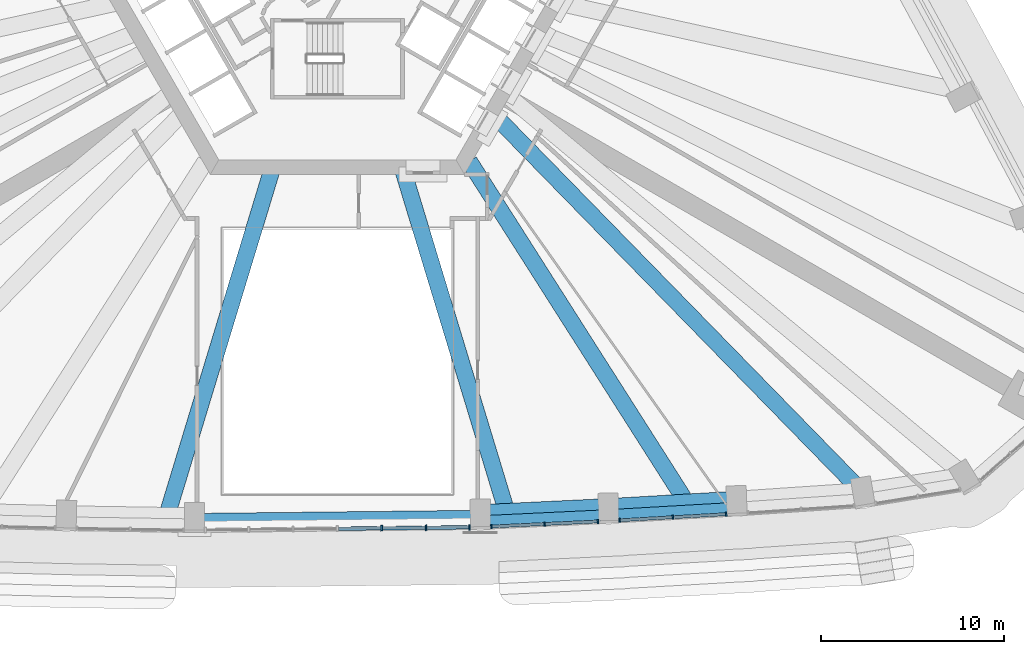
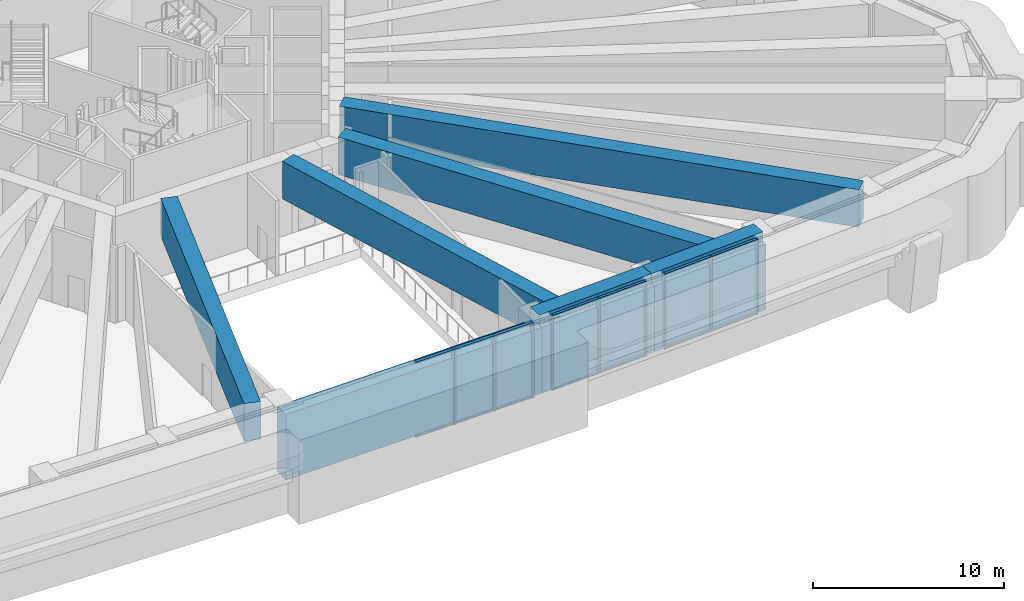
# One storey, part 4 of 22: 26 members, 6 beams, 3 elements without a shape of their own.
"""IFC4 building model written with IfcOpenShell, lengths in metres."""

from ifc_helpers import new_model, si_unit, direction, frame, origin, origin_2d, place, context, subcontext, project, spatial, rectangle, extrude, material, material_profile, profile_set, type_object, element, aggregate, save


model = new_model("IFC4")

# Units and contexts
model_context = context("Model", 3, precision=1e-05, world=origin(), true_north=direction((0.0, 1.0)))
body_context = subcontext(model_context, "Body", "Model", "MODEL_VIEW")
ifc_project = project(units=[si_unit("LENGTHUNIT", "METRE"), si_unit("AREAUNIT", "SQUARE_METRE"), si_unit("VOLUMEUNIT", "CUBIC_METRE"), si_unit("PLANEANGLEUNIT", "RADIAN"), si_unit("MASSUNIT", "GRAM", prefix="KILO")], contexts=[model_context])

# Site, building, storey
site_placement = place(None, origin())
site = spatial("IfcSite", under=ifc_project, at=site_placement, CompositionType="ELEMENT")
building_placement = place(site_placement, origin())
building = spatial("IfcBuilding", under=site, at=building_placement, Name="Entoto Arch Interchange Tower", CompositionType="ELEMENT")
storey_placement = place(building_placement, frame((0.0, 0.0, 132.800048828125)))
storey = spatial("IfcBuildingStorey", under=building, at=storey_placement, Name="L29", CompositionType="ELEMENT", Elevation=132.800048828125)

# Members
ifc_material_1 = material(Name="Concrete C60/75", Category="concrete")
ifc_material_profile_1 = material_profile(ifc_material_1, rectangle(XDim=0.60009765625, YDim=4.199951171875, at=origin_2d()))
ifc_profile_set_1 = profile_set([ifc_material_profile_1], Name="Concrete C60/75")
member_type_1 = type_object("IfcMemberType", Name="Belt member RC 600x4200 C60/75", PredefinedType="USERDEFINED", material=ifc_profile_set_1)
member_1_placement = place(storey_placement, frame((7.787109375, -28.406982421875, 2.099853515625), z_axis=(0.998865450505, 0.047621547518, 0.0), x_axis=(-0.047621547518, 0.998865450505, 0.0)))
element("IfcMember", 1, at=member_1_placement, inside=storey, type_object=member_type_1, Name="Belt beam 05 L29", ObjectType="BELT BEAM", PredefinedType="USERDEFINED", context=body_context, shape_type="SweptSolid", body=[
    extrude(rectangle(XDim=0.60009765625, YDim=4.199951171875, at=origin_2d()), origin(), (0.0, 0.0, 1.0), 6.99267578125),
])
member_2_placement = place(storey_placement, frame((14.77197265625, -28.073974609375, 2.099853515625), z_axis=(0.9983510679, 0.057403355495, 0.0), x_axis=(-0.057403355495, 0.9983510679, 0.0)))
element("IfcMember", 2, at=member_2_placement, inside=storey, type_object=member_type_1, Name="Belt beam 06 L29", ObjectType="BELT BEAM", PredefinedType="USERDEFINED", context=body_context, shape_type="SweptSolid", body=[
    extrude(rectangle(XDim=0.60009765625, YDim=4.199951171875, at=origin_2d()), origin(), (0.0, 0.0, 1.0), 7.00048828125),
])
ifc_material_profile_2 = material_profile(ifc_material_1, rectangle(XDim=0.89990234375, YDim=4.199951171875, at=origin_2d()))
ifc_profile_set_2 = profile_set([ifc_material_profile_2], Name="Concrete C60/75")
member_type_2 = type_object("IfcMemberType", Name="Belt member RC 900x4200 C60/75", PredefinedType="USERDEFINED", material=ifc_profile_set_2)
member_3_placement = place(storey_placement, frame((-7.801025390625, -28.429931640625, 2.099853515625), z_axis=(0.999938509121, 0.011089543616, 0.0), x_axis=(-0.011089543616, 0.999938509121, 0.0)))
element("IfcMember", 3, at=member_3_placement, inside=storey, type_object=member_type_2, Name="Belt beam 04 L29", ObjectType="BELT BEAM", PredefinedType="USERDEFINED", context=body_context, shape_type="SweptSolid", body=[
    extrude(rectangle(XDim=0.89990234375, YDim=4.199951171875, at=origin_2d()), origin(), (0.0, 0.0, 1.0), 15.5869140625),
])

# Curtain wall, members
ifc_material_2 = material(Name="Aluminium, anodised", Category="aluminium")
curtain_wall_type_1 = type_object("IfcCurtainWallType", Name="CURTAIN WALL ATRIUM", PredefinedType="NOTDEFINED", material=ifc_material_2)
curtain_wall_1_placement = place(storey_placement, origin())
curtain_wall_1 = element("IfcCurtainWall", 4, at=curtain_wall_1_placement, inside=storey, type_object=curtain_wall_type_1, Name="Atrium glazing S-04 L29", PredefinedType="NOTDEFINED")
ifc_material_profile_3 = material_profile(ifc_material_2, rectangle(XDim=0.300048828125, YDim=0.10009765625, at=origin_2d()))
ifc_profile_set_3 = profile_set([ifc_material_profile_3], Name="Aluminium, anodised")
member_type_3 = type_object("IfcMemberType", Name="MULLION ATRIUM 100x300", PredefinedType="MULLION", material=ifc_profile_set_3)
member_4_placement = place(storey_placement, frame((2.416748046875, -28.78662109375, 0.0), z_axis=(0.0, 0.0, 1.0), x_axis=(-0.011102763886, 0.999938362417, 0.0)))
member_4 = element("IfcMember", 5, at=member_4_placement, type_object=member_type_3, Name="CWA mullion 5", PredefinedType="MULLION", context=body_context, shape_type="SweptSolid", body=[
    extrude(rectangle(XDim=0.300048828125, YDim=0.10009765625, at=origin_2d()), origin(), (0.0, 0.0, 1.0), 4.800048828125),
])
member_5_placement = place(storey_placement, frame((4.833251953125, -28.759765625, 0.0), z_axis=(0.0, 0.0, 1.0), x_axis=(-0.011102763886, 0.999938362417, 0.0)))
member_5 = element("IfcMember", 6, at=member_5_placement, type_object=member_type_3, Name="CWA mullion 6", PredefinedType="MULLION", context=body_context, shape_type="SweptSolid", body=[
    extrude(rectangle(XDim=0.300048828125, YDim=0.10009765625, at=origin_2d()), origin(), (0.0, 0.0, 1.0), 4.800048828125),
])
member_6_placement = place(storey_placement, frame((7.199951171875, -28.733642578125, 0.0), z_axis=(0.0, 0.0, 1.0), x_axis=(-0.011102763886, 0.999938362417, 0.0)))
member_6 = element("IfcMember", 7, at=member_6_placement, type_object=member_type_3, Name="CWA mullion 7", PredefinedType="MULLION", context=body_context, shape_type="SweptSolid", body=[
    extrude(rectangle(XDim=0.300048828125, YDim=0.10009765625, at=origin_2d()), origin(), (0.0, 0.0, 1.0), 4.800048828125),
])

curtain_wall_type_2 = type_object("IfcCurtainWallType", Name="CURTAIN WALL SKY LOBBY", PredefinedType="NOTDEFINED", material=ifc_material_2)
curtain_wall_2_placement = place(storey_placement, origin())
curtain_wall_2 = element("IfcCurtainWall", 8, at=curtain_wall_2_placement, inside=storey, type_object=curtain_wall_type_2, Name="Sky Lobby glazing S-05 L29", PredefinedType="NOTDEFINED")
ifc_material_profile_4 = material_profile(ifc_material_2, rectangle(XDim=0.219970703125, YDim=0.090087890625, at=origin_2d()))
ifc_profile_set_4 = profile_set([ifc_material_profile_4], Name="Aluminium, anodised")
member_type_4 = type_object("IfcMemberType", Name="MULLION SKY LOBBY 90x220", PredefinedType="MULLION", material=ifc_profile_set_4)
member_7_placement = place(storey_placement, frame((8.39306640625, -28.69873046875, 0.0), z_axis=(0.0, 0.0, 1.0), x_axis=(-0.047782508784, 0.998857763575, 0.0)))
member_7 = element("IfcMember", 9, at=member_7_placement, type_object=member_type_4, Name="CWS mullion 1", PredefinedType="MULLION", context=body_context, shape_type="SweptSolid", body=[
    extrude(rectangle(XDim=0.219970703125, YDim=0.090087890625, at=origin_2d()), origin(), (0.0, 0.0, 1.0), 4.800048828125),
])
member_8_placement = place(storey_placement, frame((11.29541015625, -28.56005859375, 0.0), z_axis=(0.0, 0.0, 1.0), x_axis=(-0.047782508784, 0.998857763575, 0.0)))
member_8 = element("IfcMember", 10, at=member_8_placement, type_object=member_type_4, Name="CWS mullion 2", PredefinedType="MULLION", context=body_context, shape_type="SweptSolid", body=[
    extrude(rectangle(XDim=0.219970703125, YDim=0.090087890625, at=origin_2d()), origin(), (0.0, 0.0, 1.0), 4.800048828125),
])
member_9_placement = place(storey_placement, frame((14.197998046875, -28.421142578125, 0.0), z_axis=(0.0, 0.0, 1.0), x_axis=(-0.047782508784, 0.998857763575, 0.0)))
member_9 = element("IfcMember", 11, at=member_9_placement, type_object=member_type_4, Name="CWS mullion 3", PredefinedType="MULLION", context=body_context, shape_type="SweptSolid", body=[
    extrude(rectangle(XDim=0.219970703125, YDim=0.090087890625, at=origin_2d()), origin(), (0.0, 0.0, 1.0), 4.800048828125),
])

curtain_wall_3_placement = place(storey_placement, origin())
curtain_wall_3 = element("IfcCurtainWall", 12, at=curtain_wall_3_placement, inside=storey, type_object=curtain_wall_type_2, Name="Sky Lobby glazing S-06 L29", PredefinedType="NOTDEFINED")
member_10_placement = place(storey_placement, frame((15.385009765625, -28.3583984375, 0.0), z_axis=(0.0, 0.0, 1.0), x_axis=(-0.057233033604, 0.99836084652, 0.0)))
member_10 = element("IfcMember", 13, at=member_10_placement, type_object=member_type_4, Name="CWS mullion 1", PredefinedType="MULLION", context=body_context, shape_type="SweptSolid", body=[
    extrude(rectangle(XDim=0.219970703125, YDim=0.090087890625, at=origin_2d()), origin(), (0.0, 0.0, 1.0), 4.800048828125),
])
member_11_placement = place(storey_placement, frame((18.2880859375, -28.19189453125, 0.0), z_axis=(0.0, 0.0, 1.0), x_axis=(-0.057233033604, 0.99836084652, 0.0)))
member_11 = element("IfcMember", 14, at=member_11_placement, type_object=member_type_4, Name="CWS mullion 2", PredefinedType="MULLION", context=body_context, shape_type="SweptSolid", body=[
    extrude(rectangle(XDim=0.219970703125, YDim=0.090087890625, at=origin_2d()), origin(), (0.0, 0.0, 1.0), 4.800048828125),
])
member_12_placement = place(storey_placement, frame((21.191162109375, -28.025634765625, 0.0), z_axis=(0.0, 0.0, 1.0), x_axis=(-0.057233033604, 0.99836084652, 0.0)))
member_12 = element("IfcMember", 15, at=member_12_placement, type_object=member_type_4, Name="CWS mullion 3", PredefinedType="MULLION", context=body_context, shape_type="SweptSolid", body=[
    extrude(rectangle(XDim=0.219970703125, YDim=0.090087890625, at=origin_2d()), origin(), (0.0, 0.0, 1.0), 4.800048828125),
])

# Member
ifc_material_profile_5 = material_profile(ifc_material_2, rectangle(XDim=0.199951171875, YDim=0.080078125, at=origin_2d()))
ifc_profile_set_5 = profile_set([ifc_material_profile_5], Name="Aluminium, anodised")
member_type_5 = type_object("IfcMemberType", Name="TRANSOM ATRIUM 80x200", PredefinedType="USERDEFINED", material=ifc_profile_set_5)
member_13_placement = place(storey_placement, frame((0.050048828125, -28.81298828125, 0.0400390625), z_axis=(0.999937612124, 0.011170132457, 0.0), x_axis=(-0.011170132457, 0.999937612124, 0.0)))
member_13 = element("IfcMember", 16, at=member_13_placement, type_object=member_type_5, Name="CWA transom 4.1", ObjectType="TRANSOM", PredefinedType="USERDEFINED", context=body_context, shape_type="SweptSolid", body=[
    extrude(rectangle(XDim=0.199951171875, YDim=0.080078125, at=origin_2d()), origin(), (0.0, 0.0, 1.0), 2.31689453125),
])

member_14_placement = place(storey_placement, frame((0.050048828125, -28.81298828125, 4.760009765625), z_axis=(0.999937612124, 0.011170132457, 0.0), x_axis=(-0.011170132457, 0.999937612124, 0.0)))
member_14 = element("IfcMember", 17, at=member_14_placement, type_object=member_type_5, Name="CWA transom 4.2", ObjectType="TRANSOM", PredefinedType="USERDEFINED", context=body_context, shape_type="SweptSolid", body=[
    extrude(rectangle(XDim=0.199951171875, YDim=0.080078125, at=origin_2d()), origin(), (0.0, 0.0, 1.0), 2.31689453125),
])

member_15_placement = place(storey_placement, frame((2.466552734375, -28.7861328125, 0.0400390625), z_axis=(0.999938796493, 0.011063601015, 0.0), x_axis=(-0.011063601015, 0.999938796493, 0.0)))
member_15 = element("IfcMember", 18, at=member_15_placement, type_object=member_type_5, Name="CWA transom 5.1", ObjectType="TRANSOM", PredefinedType="USERDEFINED", context=body_context, shape_type="SweptSolid", body=[
    extrude(rectangle(XDim=0.199951171875, YDim=0.080078125, at=origin_2d()), origin(), (0.0, 0.0, 1.0), 2.317138671875),
])

member_16_placement = place(storey_placement, frame((2.466552734375, -28.7861328125, 4.760009765625), z_axis=(0.999938796493, 0.011063601015, 0.0), x_axis=(-0.011063601015, 0.999938796493, 0.0)))
member_16 = element("IfcMember", 19, at=member_16_placement, type_object=member_type_5, Name="CWA transom 5.2", ObjectType="TRANSOM", PredefinedType="USERDEFINED", context=body_context, shape_type="SweptSolid", body=[
    extrude(rectangle(XDim=0.199951171875, YDim=0.080078125, at=origin_2d()), origin(), (0.0, 0.0, 1.0), 2.317138671875),
])

member_17_placement = place(storey_placement, frame((4.88330078125, -28.75927734375, 0.0400390625), z_axis=(0.999938463314, 0.011093673171, 0.0), x_axis=(-0.011093673171, 0.999938463314, 0.0)))
member_17 = element("IfcMember", 20, at=member_17_placement, type_object=member_type_5, Name="CWA transom 6.1", ObjectType="TRANSOM", PredefinedType="USERDEFINED", context=body_context, shape_type="SweptSolid", body=[
    extrude(rectangle(XDim=0.199951171875, YDim=0.080078125, at=origin_2d()), origin(), (0.0, 0.0, 1.0), 2.266845703125),
])

member_18_placement = place(storey_placement, frame((4.88330078125, -28.75927734375, 4.760009765625), z_axis=(0.999938463314, 0.011093673171, 0.0), x_axis=(-0.011093673171, 0.999938463314, 0.0)))
member_18 = element("IfcMember", 21, at=member_18_placement, type_object=member_type_5, Name="CWA transom 6.2", ObjectType="TRANSOM", PredefinedType="USERDEFINED", context=body_context, shape_type="SweptSolid", body=[
    extrude(rectangle(XDim=0.199951171875, YDim=0.080078125, at=origin_2d()), origin(), (0.0, 0.0, 1.0), 2.266845703125),
])

aggregate(curtain_wall_1, [member_4, member_5, member_6, member_13, member_14, member_15, member_16, member_17, member_18])

ifc_material_profile_6 = material_profile(ifc_material_2, rectangle(XDim=0.159912109375, YDim=0.070068359375, at=origin_2d()))
ifc_profile_set_6 = profile_set([ifc_material_profile_6], Name="Aluminium, anodised")
member_type_6 = type_object("IfcMemberType", Name="TRANSOM SKY LOBBY 70x160", PredefinedType="USERDEFINED", material=ifc_profile_set_6)
member_19_placement = place(storey_placement, frame((8.43798828125, -28.69677734375, 0.034912109375), z_axis=(0.998858111041, 0.047775244721, 0.0), x_axis=(-0.047775244721, 0.998858111041, 0.0)))
member_19 = element("IfcMember", 22, at=member_19_placement, type_object=member_type_6, Name="CWS transom 1.1", ObjectType="TRANSOM", PredefinedType="USERDEFINED", context=body_context, shape_type="SweptSolid", body=[
    extrude(rectangle(XDim=0.159912109375, YDim=0.070068359375, at=origin_2d()), origin(), (0.0, 0.0, 1.0), 2.815673828125),
])

member_20_placement = place(storey_placement, frame((8.43798828125, -28.69677734375, 4.764892578125), z_axis=(0.998858111041, 0.047775244721, 0.0), x_axis=(-0.047775244721, 0.998858111041, 0.0)))
member_20 = element("IfcMember", 23, at=member_20_placement, type_object=member_type_6, Name="CWS transom 1.2", ObjectType="TRANSOM", PredefinedType="USERDEFINED", context=body_context, shape_type="SweptSolid", body=[
    extrude(rectangle(XDim=0.159912109375, YDim=0.070068359375, at=origin_2d()), origin(), (0.0, 0.0, 1.0), 2.815673828125),
])

member_21_placement = place(storey_placement, frame((11.34033203125, -28.557861328125, 0.034912109375), z_axis=(0.99885830892, 0.047771107388, 0.0), x_axis=(-0.047771107388, 0.99885830892, 0.0)))
member_21 = element("IfcMember", 24, at=member_21_placement, type_object=member_type_6, Name="CWS transom 2.1", ObjectType="TRANSOM", PredefinedType="USERDEFINED", context=body_context, shape_type="SweptSolid", body=[
    extrude(rectangle(XDim=0.159912109375, YDim=0.070068359375, at=origin_2d()), origin(), (0.0, 0.0, 1.0), 2.81591796875),
])

member_22_placement = place(storey_placement, frame((11.34033203125, -28.557861328125, 4.764892578125), z_axis=(0.99885830892, 0.047771107388, 0.0), x_axis=(-0.047771107388, 0.99885830892, 0.0)))
member_22 = element("IfcMember", 25, at=member_22_placement, type_object=member_type_6, Name="CWS transom 2.2", ObjectType="TRANSOM", PredefinedType="USERDEFINED", context=body_context, shape_type="SweptSolid", body=[
    extrude(rectangle(XDim=0.159912109375, YDim=0.070068359375, at=origin_2d()), origin(), (0.0, 0.0, 1.0), 2.81591796875),
])

aggregate(curtain_wall_2, [member_7, member_8, member_9, member_19, member_20, member_21, member_22])

member_23_placement = place(storey_placement, frame((15.429931640625, -28.35595703125, 0.034912109375), z_axis=(0.998358761849, 0.057269386582, 0.0), x_axis=(-0.057269386582, 0.998358761849, 0.0)))
member_23 = element("IfcMember", 26, at=member_23_placement, type_object=member_type_6, Name="CWS transom 1.1", ObjectType="TRANSOM", PredefinedType="USERDEFINED", context=body_context, shape_type="SweptSolid", body=[
    extrude(rectangle(XDim=0.159912109375, YDim=0.070068359375, at=origin_2d()), origin(), (0.0, 0.0, 1.0), 2.81787109375),
])

member_24_placement = place(storey_placement, frame((15.429931640625, -28.35595703125, 4.764892578125), z_axis=(0.998358761849, 0.057269386582, 0.0), x_axis=(-0.057269386582, 0.998358761849, 0.0)))
member_24 = element("IfcMember", 27, at=member_24_placement, type_object=member_type_6, Name="CWS transom 1.2", ObjectType="TRANSOM", PredefinedType="USERDEFINED", context=body_context, shape_type="SweptSolid", body=[
    extrude(rectangle(XDim=0.159912109375, YDim=0.070068359375, at=origin_2d()), origin(), (0.0, 0.0, 1.0), 2.81787109375),
])

member_25_placement = place(storey_placement, frame((18.3330078125, -28.189453125, 0.034912109375), z_axis=(0.998358761849, 0.057269386582, 0.0), x_axis=(-0.057269386582, 0.998358761849, 0.0)))
member_25 = element("IfcMember", 28, at=member_25_placement, type_object=member_type_6, Name="CWS transom 2.1", ObjectType="TRANSOM", PredefinedType="USERDEFINED", context=body_context, shape_type="SweptSolid", body=[
    extrude(rectangle(XDim=0.159912109375, YDim=0.070068359375, at=origin_2d()), origin(), (0.0, 0.0, 1.0), 2.81787109375),
])

member_26_placement = place(storey_placement, frame((18.3330078125, -28.189453125, 4.764892578125), z_axis=(0.998358761849, 0.057269386582, 0.0), x_axis=(-0.057269386582, 0.998358761849, 0.0)))
member_26 = element("IfcMember", 29, at=member_26_placement, type_object=member_type_6, Name="CWS transom 2.2", ObjectType="TRANSOM", PredefinedType="USERDEFINED", context=body_context, shape_type="SweptSolid", body=[
    extrude(rectangle(XDim=0.159912109375, YDim=0.070068359375, at=origin_2d()), origin(), (0.0, 0.0, 1.0), 2.81787109375),
])

aggregate(curtain_wall_3, [member_10, member_11, member_12, member_23, member_24, member_25, member_26])

# Beams
ifc_material_profile_7 = material_profile(ifc_material_1, rectangle(XDim=0.89990234375, YDim=2.39990234375, at=origin_2d()))
ifc_profile_set_7 = profile_set([ifc_material_profile_7], Name="Concrete C60/75")
beam_type = type_object("IfcBeamType", Name="Transfer beam RC 900x2400 C60/75", PredefinedType="BEAM", material=ifc_profile_set_7)
beam_1_placement = place(storey_placement, frame((-3.60205078125, -9.35595703125, 3.599853515625), z_axis=(-0.290606586789, -0.95684262641, 0.0), x_axis=(0.95684262641, -0.290606586789, 0.0)))
element("IfcBeam", 30, at=beam_1_placement, inside=storey, type_object=beam_type, Name="Transfer beam S03 L29", PredefinedType="BEAM", context=body_context, shape_type="SweptSolid", body=[
    extrude(rectangle(XDim=0.89990234375, YDim=2.39990234375, at=origin_2d()), origin(), (0.0, 0.0, 1.0), 19.29052734375),
])
beam_2_placement = place(storey_placement, frame((3.60205078125, -9.35595703125, 3.599853515625), z_axis=(0.290620853078, -0.956838293421, 0.0), x_axis=(0.956838293421, 0.290620853078, 0.0)))
element("IfcBeam", 31, at=beam_2_placement, inside=storey, type_object=beam_type, Name="Transfer beam S04 L29", PredefinedType="BEAM", context=body_context, shape_type="SweptSolid", body=[
    extrude(rectangle(XDim=0.89990234375, YDim=2.39990234375, at=origin_2d()), origin(), (0.0, 0.0, 1.0), 19.062744140625),
])
beam_3_placement = place(storey_placement, frame((7.7919921875, -27.951904296875, 3.599853515625), z_axis=(0.998857522595, 0.047787546021, 0.0), x_axis=(-0.047787546021, 0.998857522595, 0.0)))
element("IfcBeam", 32, at=beam_3_placement, inside=storey, type_object=beam_type, Name="Transfer girder S04 L29", PredefinedType="BEAM", context=body_context, shape_type="SweptSolid", body=[
    extrude(rectangle(XDim=0.89990234375, YDim=2.39990234375, at=origin_2d()), origin(), (0.0, 0.0, 1.0), 6.989013671875),
])
beam_4_placement = place(storey_placement, frame((7.18701171875, -8.783935546875, 3.599853515625), z_axis=(0.537230032436, -0.843435766522, 0.0), x_axis=(0.843435766522, 0.537230032436, 0.0)))
element("IfcBeam", 33, at=beam_4_placement, inside=storey, type_object=beam_type, Name="Transfer beam S05 L29", PredefinedType="BEAM", context=body_context, shape_type="SweptSolid", body=[
    extrude(rectangle(XDim=0.89990234375, YDim=2.39990234375, at=origin_2d()), origin(), (0.0, 0.0, 1.0), 21.740966796875),
])
beam_5_placement = place(storey_placement, frame((14.77294921875, -27.617919921875, 3.599853515625), z_axis=(0.998356763104, 0.057304219422, 0.0), x_axis=(-0.057304219422, 0.998356763104, 0.0)))
element("IfcBeam", 34, at=beam_5_placement, inside=storey, type_object=beam_type, Name="Transfer girder S05 L29", PredefinedType="BEAM", context=body_context, shape_type="SweptSolid", body=[
    extrude(rectangle(XDim=0.89990234375, YDim=2.39990234375, at=origin_2d()), origin(), (0.0, 0.0, 1.0), 6.99560546875),
])
beam_6_placement = place(storey_placement, frame((8.60205078125, -6.31201171875, 3.599853515625), z_axis=(0.698494302702, -0.715615615462, 0.0), x_axis=(0.715615615462, 0.698494302702, 0.0)))
element("IfcBeam", 35, at=beam_6_placement, inside=storey, type_object=beam_type, Name="Transfer beam S06 L29", PredefinedType="BEAM", context=body_context, shape_type="SweptSolid", body=[
    extrude(rectangle(XDim=0.89990234375, YDim=2.39990234375, at=origin_2d()), origin(), (0.0, 0.0, 1.0), 28.276611328125),
])

save(model, "model.ifc")
